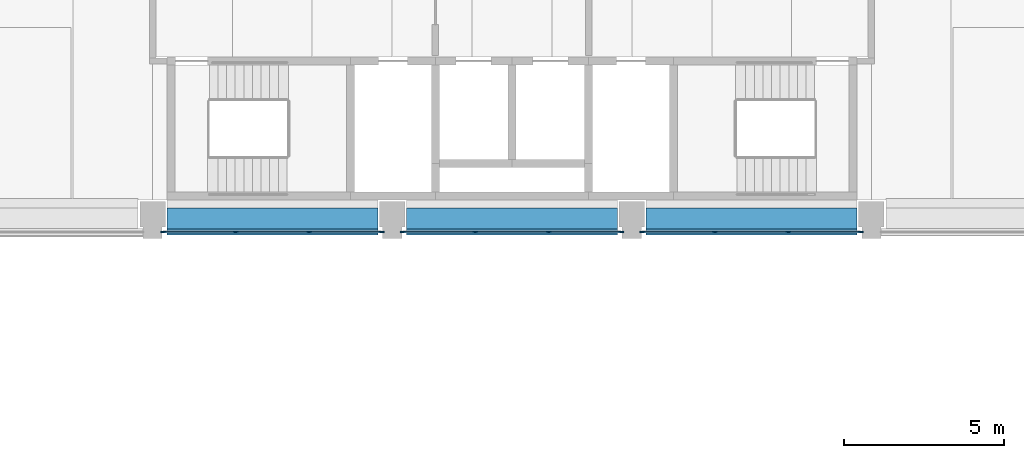
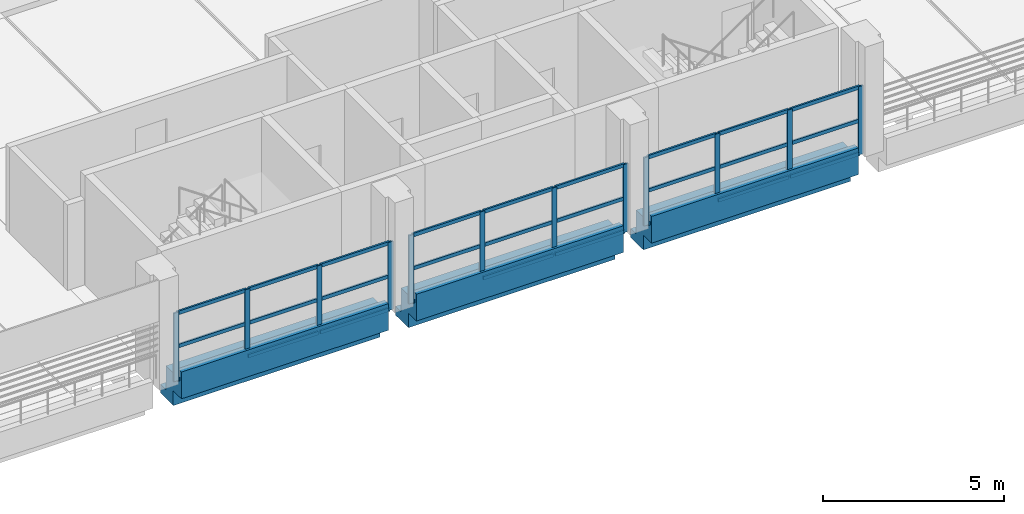
# One storey, part 7 of 61: 39 members, 3 beams, 3 elements without a shape of their own.
"""IFC4 building model written with IfcOpenShell, lengths in metres."""

from ifc_helpers import new_model, si_unit, direction, frame, origin, origin_2d, place, context, subcontext, project, spatial, polyline, rectangle, outline, extrude, material, layer, layer_set, material_profile, profile_set, type_object, element, aggregate, save


model = new_model("IFC4")

# Units and contexts
model_context = context("Model", 3, precision=1e-05, world=origin(), true_north=direction((0.0, 1.0)))
body_context = subcontext(model_context, "Body", "Model", "MODEL_VIEW")
ifc_project = project(units=[si_unit("LENGTHUNIT", "METRE"), si_unit("AREAUNIT", "SQUARE_METRE"), si_unit("VOLUMEUNIT", "CUBIC_METRE"), si_unit("PLANEANGLEUNIT", "RADIAN"), si_unit("MASSUNIT", "GRAM", prefix="KILO")], contexts=[model_context])

# Site, building, storey
site_placement = place(None, origin())
site = spatial("IfcSite", under=ifc_project, at=site_placement, CompositionType="ELEMENT")
building_placement = place(site_placement, origin())
building = spatial("IfcBuilding", under=site, at=building_placement, Name="Cour d'Honneur Mobility Palace", CompositionType="ELEMENT")
storey_placement = place(building_placement, frame((0.0, 0.0, 11.89990234375)))
storey = spatial("IfcBuildingStorey", under=building, at=storey_placement, Name="L03", CompositionType="ELEMENT", Elevation=11.89990234375)

# Curtain wall, members
ifc_material_1 = material(Name="Aluminium and glass", Category="aluminium")
ifc_layer = layer(ifc_material_1, 0.10009765625)
ifc_layer_set = layer_set([ifc_layer], Name="Aluminium and glass")
curtain_wall_type = type_object("IfcCurtainWallType", Name="Curtain wall run", PredefinedType="NOTDEFINED", material=ifc_layer_set)
curtain_wall_1_placement = place(storey_placement, origin())
curtain_wall_1 = element("IfcCurtainWall", 1, at=curtain_wall_1_placement, inside=storey, type_object=curtain_wall_type, Name="Curtain wall CW-78", PredefinedType="NOTDEFINED")
ifc_material_2 = material(Name="Aluminium", Category="aluminium")
ifc_material_profile_1 = material_profile(ifc_material_2, rectangle(XDim=0.06005859375, YDim=0.159912109375, at=origin_2d()), Name="Curtain wall mullion")
ifc_profile_set_1 = profile_set([ifc_material_profile_1], Name="Aluminium")
member_type_1 = type_object("IfcMemberType", Name="Curtain wall mullion", PredefinedType="MULLION", material=ifc_profile_set_1)
member_1_placement = place(storey_placement, frame((70.22998046875, 44.449951171875, 0.0), z_axis=(0.0, 0.0, 1.0), x_axis=(0.0, 1.0, 0.0)))
member_1 = element("IfcMember", 2, at=member_1_placement, type_object=member_type_1, Name="CW-78 mullion 1", PredefinedType="MULLION", context=body_context, shape_type="SweptSolid", body=[
    extrude(rectangle(XDim=0.06005859375, YDim=0.159912109375, at=origin_2d()), origin(), (0.0, 0.0, 1.0), 2.300048828125),
])
member_2_placement = place(storey_placement, frame((72.5, 44.449951171875, 0.0), z_axis=(0.0, 0.0, 1.0), x_axis=(0.0, 1.0, 0.0)))
member_2 = element("IfcMember", 3, at=member_2_placement, type_object=member_type_1, Name="CW-78 mullion 2", PredefinedType="MULLION", context=body_context, shape_type="SweptSolid", body=[
    extrude(rectangle(XDim=0.06005859375, YDim=0.159912109375, at=origin_2d()), origin(), (0.0, 0.0, 1.0), 2.300048828125),
])
member_3_placement = place(storey_placement, frame((74.800048828125, 44.449951171875, 0.0), z_axis=(0.0, 0.0, 1.0), x_axis=(0.0, 1.0, 0.0)))
member_3 = element("IfcMember", 4, at=member_3_placement, type_object=member_type_1, Name="CW-78 mullion 3", PredefinedType="MULLION", context=body_context, shape_type="SweptSolid", body=[
    extrude(rectangle(XDim=0.06005859375, YDim=0.159912109375, at=origin_2d()), origin(), (0.0, 0.0, 1.0), 2.300048828125),
])
member_4_placement = place(storey_placement, frame((77.070068359375, 44.449951171875, 0.0), z_axis=(0.0, 0.0, 1.0), x_axis=(0.0, 1.0, 0.0)))
member_4 = element("IfcMember", 5, at=member_4_placement, type_object=member_type_1, Name="CW-78 mullion 4", PredefinedType="MULLION", context=body_context, shape_type="SweptSolid", body=[
    extrude(rectangle(XDim=0.06005859375, YDim=0.159912109375, at=origin_2d()), origin(), (0.0, 0.0, 1.0), 2.300048828125),
])

curtain_wall_2_placement = place(storey_placement, origin())
curtain_wall_2 = element("IfcCurtainWall", 6, at=curtain_wall_2_placement, inside=storey, type_object=curtain_wall_type, Name="Curtain wall CW-79", PredefinedType="NOTDEFINED")
member_5_placement = place(storey_placement, frame((77.72998046875, 44.449951171875, 0.0), z_axis=(0.0, 0.0, 1.0), x_axis=(0.0, 1.0, 0.0)))
member_5 = element("IfcMember", 7, at=member_5_placement, type_object=member_type_1, Name="CW-79 mullion 1", PredefinedType="MULLION", context=body_context, shape_type="SweptSolid", body=[
    extrude(rectangle(XDim=0.06005859375, YDim=0.159912109375, at=origin_2d()), origin(), (0.0, 0.0, 1.0), 2.300048828125),
])
member_6_placement = place(storey_placement, frame((80.0, 44.449951171875, 0.0), z_axis=(0.0, 0.0, 1.0), x_axis=(0.0, 1.0, 0.0)))
member_6 = element("IfcMember", 8, at=member_6_placement, type_object=member_type_1, Name="CW-79 mullion 2", PredefinedType="MULLION", context=body_context, shape_type="SweptSolid", body=[
    extrude(rectangle(XDim=0.06005859375, YDim=0.159912109375, at=origin_2d()), origin(), (0.0, 0.0, 1.0), 2.300048828125),
])
member_7_placement = place(storey_placement, frame((82.300048828125, 44.449951171875, 0.0), z_axis=(0.0, 0.0, 1.0), x_axis=(0.0, 1.0, 0.0)))
member_7 = element("IfcMember", 9, at=member_7_placement, type_object=member_type_1, Name="CW-79 mullion 3", PredefinedType="MULLION", context=body_context, shape_type="SweptSolid", body=[
    extrude(rectangle(XDim=0.06005859375, YDim=0.159912109375, at=origin_2d()), origin(), (0.0, 0.0, 1.0), 2.300048828125),
])
member_8_placement = place(storey_placement, frame((84.570068359375, 44.449951171875, 0.0), z_axis=(0.0, 0.0, 1.0), x_axis=(0.0, 1.0, 0.0)))
member_8 = element("IfcMember", 10, at=member_8_placement, type_object=member_type_1, Name="CW-79 mullion 4", PredefinedType="MULLION", context=body_context, shape_type="SweptSolid", body=[
    extrude(rectangle(XDim=0.06005859375, YDim=0.159912109375, at=origin_2d()), origin(), (0.0, 0.0, 1.0), 2.300048828125),
])

curtain_wall_3_placement = place(storey_placement, origin())
curtain_wall_3 = element("IfcCurtainWall", 11, at=curtain_wall_3_placement, inside=storey, type_object=curtain_wall_type, Name="Curtain wall CW-80", PredefinedType="NOTDEFINED")
member_9_placement = place(storey_placement, frame((85.22998046875, 44.449951171875, 0.0), z_axis=(0.0, 0.0, 1.0), x_axis=(0.0, 1.0, 0.0)))
member_9 = element("IfcMember", 12, at=member_9_placement, type_object=member_type_1, Name="CW-80 mullion 1", PredefinedType="MULLION", context=body_context, shape_type="SweptSolid", body=[
    extrude(rectangle(XDim=0.06005859375, YDim=0.159912109375, at=origin_2d()), origin(), (0.0, 0.0, 1.0), 2.300048828125),
])
member_10_placement = place(storey_placement, frame((87.5, 44.449951171875, 0.0), z_axis=(0.0, 0.0, 1.0), x_axis=(0.0, 1.0, 0.0)))
member_10 = element("IfcMember", 13, at=member_10_placement, type_object=member_type_1, Name="CW-80 mullion 2", PredefinedType="MULLION", context=body_context, shape_type="SweptSolid", body=[
    extrude(rectangle(XDim=0.06005859375, YDim=0.159912109375, at=origin_2d()), origin(), (0.0, 0.0, 1.0), 2.300048828125),
])
member_11_placement = place(storey_placement, frame((89.800048828125, 44.449951171875, 0.0), z_axis=(0.0, 0.0, 1.0), x_axis=(0.0, 1.0, 0.0)))
member_11 = element("IfcMember", 14, at=member_11_placement, type_object=member_type_1, Name="CW-80 mullion 3", PredefinedType="MULLION", context=body_context, shape_type="SweptSolid", body=[
    extrude(rectangle(XDim=0.06005859375, YDim=0.159912109375, at=origin_2d()), origin(), (0.0, 0.0, 1.0), 2.300048828125),
])
member_12_placement = place(storey_placement, frame((92.070068359375, 44.449951171875, 0.0), z_axis=(0.0, 0.0, 1.0), x_axis=(0.0, 1.0, 0.0)))
member_12 = element("IfcMember", 15, at=member_12_placement, type_object=member_type_1, Name="CW-80 mullion 4", PredefinedType="MULLION", context=body_context, shape_type="SweptSolid", body=[
    extrude(rectangle(XDim=0.06005859375, YDim=0.159912109375, at=origin_2d()), origin(), (0.0, 0.0, 1.0), 2.300048828125),
])

# Member
ifc_material_3 = material(Name="Aluminium", Category="aluminium")
ifc_material_profile_2 = material_profile(ifc_material_3, rectangle(XDim=0.06005859375, YDim=0.1201171875, at=origin_2d()), Name="Curtain wall transom")
ifc_profile_set_2 = profile_set([ifc_material_profile_2], Name="Aluminium")
member_type_2 = type_object("IfcMemberType", Name="Curtain wall transom", PredefinedType="USERDEFINED", material=ifc_profile_set_2)
member_13_placement = place(storey_placement, frame((70.260009765625, 44.449951171875, 0.030029296875), z_axis=(1.0, 0.0, 0.0), x_axis=(0.0, 1.0, 0.0)))
member_13 = element("IfcMember", 16, at=member_13_placement, type_object=member_type_2, Name="CW-78 transom 1.1", ObjectType="TRANSOM", PredefinedType="USERDEFINED", context=body_context, shape_type="SweptSolid", body=[
    extrude(rectangle(XDim=0.06005859375, YDim=0.1201171875, at=origin_2d()), origin(), (0.0, 0.0, 1.0), 2.2099609375),
])

member_14_placement = place(storey_placement, frame((70.260009765625, 44.449951171875, 1.150146484375), z_axis=(1.0, 0.0, 0.0), x_axis=(0.0, 1.0, 0.0)))
member_14 = element("IfcMember", 17, at=member_14_placement, type_object=member_type_2, Name="CW-78 transom 1.2", ObjectType="TRANSOM", PredefinedType="USERDEFINED", context=body_context, shape_type="SweptSolid", body=[
    extrude(rectangle(XDim=0.06005859375, YDim=0.1201171875, at=origin_2d()), origin(), (0.0, 0.0, 1.0), 2.2099609375),
])

member_15_placement = place(storey_placement, frame((70.260009765625, 44.449951171875, 2.27001953125), z_axis=(1.0, 0.0, 0.0), x_axis=(0.0, 1.0, 0.0)))
member_15 = element("IfcMember", 18, at=member_15_placement, type_object=member_type_2, Name="CW-78 transom 1.3", ObjectType="TRANSOM", PredefinedType="USERDEFINED", context=body_context, shape_type="SweptSolid", body=[
    extrude(rectangle(XDim=0.06005859375, YDim=0.1201171875, at=origin_2d()), origin(), (0.0, 0.0, 1.0), 2.2099609375),
])

member_16_placement = place(storey_placement, frame((72.530029296875, 44.449951171875, 0.030029296875), z_axis=(1.0, 0.0, 0.0), x_axis=(0.0, 1.0, 0.0)))
member_16 = element("IfcMember", 19, at=member_16_placement, type_object=member_type_2, Name="CW-78 transom 2.1", ObjectType="TRANSOM", PredefinedType="USERDEFINED", context=body_context, shape_type="SweptSolid", body=[
    extrude(rectangle(XDim=0.06005859375, YDim=0.1201171875, at=origin_2d()), origin(), (0.0, 0.0, 1.0), 2.239990234375),
])

member_17_placement = place(storey_placement, frame((72.530029296875, 44.449951171875, 1.150146484375), z_axis=(1.0, 0.0, 0.0), x_axis=(0.0, 1.0, 0.0)))
member_17 = element("IfcMember", 20, at=member_17_placement, type_object=member_type_2, Name="CW-78 transom 2.2", ObjectType="TRANSOM", PredefinedType="USERDEFINED", context=body_context, shape_type="SweptSolid", body=[
    extrude(rectangle(XDim=0.06005859375, YDim=0.1201171875, at=origin_2d()), origin(), (0.0, 0.0, 1.0), 2.239990234375),
])

member_18_placement = place(storey_placement, frame((72.530029296875, 44.449951171875, 2.27001953125), z_axis=(1.0, 0.0, 0.0), x_axis=(0.0, 1.0, 0.0)))
member_18 = element("IfcMember", 21, at=member_18_placement, type_object=member_type_2, Name="CW-78 transom 2.3", ObjectType="TRANSOM", PredefinedType="USERDEFINED", context=body_context, shape_type="SweptSolid", body=[
    extrude(rectangle(XDim=0.06005859375, YDim=0.1201171875, at=origin_2d()), origin(), (0.0, 0.0, 1.0), 2.239990234375),
])

member_19_placement = place(storey_placement, frame((74.830078125, 44.449951171875, 0.030029296875), z_axis=(1.0, 0.0, 0.0), x_axis=(0.0, 1.0, 0.0)))
member_19 = element("IfcMember", 22, at=member_19_placement, type_object=member_type_2, Name="CW-78 transom 3.1", ObjectType="TRANSOM", PredefinedType="USERDEFINED", context=body_context, shape_type="SweptSolid", body=[
    extrude(rectangle(XDim=0.06005859375, YDim=0.1201171875, at=origin_2d()), origin(), (0.0, 0.0, 1.0), 2.2099609375),
])

member_20_placement = place(storey_placement, frame((74.830078125, 44.449951171875, 1.150146484375), z_axis=(1.0, 0.0, 0.0), x_axis=(0.0, 1.0, 0.0)))
member_20 = element("IfcMember", 23, at=member_20_placement, type_object=member_type_2, Name="CW-78 transom 3.2", ObjectType="TRANSOM", PredefinedType="USERDEFINED", context=body_context, shape_type="SweptSolid", body=[
    extrude(rectangle(XDim=0.06005859375, YDim=0.1201171875, at=origin_2d()), origin(), (0.0, 0.0, 1.0), 2.2099609375),
])

member_21_placement = place(storey_placement, frame((74.830078125, 44.449951171875, 2.27001953125), z_axis=(1.0, 0.0, 0.0), x_axis=(0.0, 1.0, 0.0)))
member_21 = element("IfcMember", 24, at=member_21_placement, type_object=member_type_2, Name="CW-78 transom 3.3", ObjectType="TRANSOM", PredefinedType="USERDEFINED", context=body_context, shape_type="SweptSolid", body=[
    extrude(rectangle(XDim=0.06005859375, YDim=0.1201171875, at=origin_2d()), origin(), (0.0, 0.0, 1.0), 2.2099609375),
])

aggregate(curtain_wall_1, [member_1, member_2, member_3, member_4, member_13, member_14, member_15, member_16, member_17, member_18, member_19, member_20, member_21])

member_22_placement = place(storey_placement, frame((77.760009765625, 44.449951171875, 0.030029296875), z_axis=(1.0, 0.0, 0.0), x_axis=(0.0, 1.0, 0.0)))
member_22 = element("IfcMember", 25, at=member_22_placement, type_object=member_type_2, Name="CW-79 transom 1.1", ObjectType="TRANSOM", PredefinedType="USERDEFINED", context=body_context, shape_type="SweptSolid", body=[
    extrude(rectangle(XDim=0.06005859375, YDim=0.1201171875, at=origin_2d()), origin(), (0.0, 0.0, 1.0), 2.2099609375),
])

member_23_placement = place(storey_placement, frame((77.760009765625, 44.449951171875, 1.150146484375), z_axis=(1.0, 0.0, 0.0), x_axis=(0.0, 1.0, 0.0)))
member_23 = element("IfcMember", 26, at=member_23_placement, type_object=member_type_2, Name="CW-79 transom 1.2", ObjectType="TRANSOM", PredefinedType="USERDEFINED", context=body_context, shape_type="SweptSolid", body=[
    extrude(rectangle(XDim=0.06005859375, YDim=0.1201171875, at=origin_2d()), origin(), (0.0, 0.0, 1.0), 2.2099609375),
])

member_24_placement = place(storey_placement, frame((77.760009765625, 44.449951171875, 2.27001953125), z_axis=(1.0, 0.0, 0.0), x_axis=(0.0, 1.0, 0.0)))
member_24 = element("IfcMember", 27, at=member_24_placement, type_object=member_type_2, Name="CW-79 transom 1.3", ObjectType="TRANSOM", PredefinedType="USERDEFINED", context=body_context, shape_type="SweptSolid", body=[
    extrude(rectangle(XDim=0.06005859375, YDim=0.1201171875, at=origin_2d()), origin(), (0.0, 0.0, 1.0), 2.2099609375),
])

member_25_placement = place(storey_placement, frame((80.030029296875, 44.449951171875, 0.030029296875), z_axis=(1.0, 0.0, 0.0), x_axis=(0.0, 1.0, 0.0)))
member_25 = element("IfcMember", 28, at=member_25_placement, type_object=member_type_2, Name="CW-79 transom 2.1", ObjectType="TRANSOM", PredefinedType="USERDEFINED", context=body_context, shape_type="SweptSolid", body=[
    extrude(rectangle(XDim=0.06005859375, YDim=0.1201171875, at=origin_2d()), origin(), (0.0, 0.0, 1.0), 2.239990234375),
])

member_26_placement = place(storey_placement, frame((80.030029296875, 44.449951171875, 1.150146484375), z_axis=(1.0, 0.0, 0.0), x_axis=(0.0, 1.0, 0.0)))
member_26 = element("IfcMember", 29, at=member_26_placement, type_object=member_type_2, Name="CW-79 transom 2.2", ObjectType="TRANSOM", PredefinedType="USERDEFINED", context=body_context, shape_type="SweptSolid", body=[
    extrude(rectangle(XDim=0.06005859375, YDim=0.1201171875, at=origin_2d()), origin(), (0.0, 0.0, 1.0), 2.239990234375),
])

member_27_placement = place(storey_placement, frame((80.030029296875, 44.449951171875, 2.27001953125), z_axis=(1.0, 0.0, 0.0), x_axis=(0.0, 1.0, 0.0)))
member_27 = element("IfcMember", 30, at=member_27_placement, type_object=member_type_2, Name="CW-79 transom 2.3", ObjectType="TRANSOM", PredefinedType="USERDEFINED", context=body_context, shape_type="SweptSolid", body=[
    extrude(rectangle(XDim=0.06005859375, YDim=0.1201171875, at=origin_2d()), origin(), (0.0, 0.0, 1.0), 2.239990234375),
])

member_28_placement = place(storey_placement, frame((82.330078125, 44.449951171875, 0.030029296875), z_axis=(1.0, 0.0, 0.0), x_axis=(0.0, 1.0, 0.0)))
member_28 = element("IfcMember", 31, at=member_28_placement, type_object=member_type_2, Name="CW-79 transom 3.1", ObjectType="TRANSOM", PredefinedType="USERDEFINED", context=body_context, shape_type="SweptSolid", body=[
    extrude(rectangle(XDim=0.06005859375, YDim=0.1201171875, at=origin_2d()), origin(), (0.0, 0.0, 1.0), 2.2099609375),
])

member_29_placement = place(storey_placement, frame((82.330078125, 44.449951171875, 1.150146484375), z_axis=(1.0, 0.0, 0.0), x_axis=(0.0, 1.0, 0.0)))
member_29 = element("IfcMember", 32, at=member_29_placement, type_object=member_type_2, Name="CW-79 transom 3.2", ObjectType="TRANSOM", PredefinedType="USERDEFINED", context=body_context, shape_type="SweptSolid", body=[
    extrude(rectangle(XDim=0.06005859375, YDim=0.1201171875, at=origin_2d()), origin(), (0.0, 0.0, 1.0), 2.2099609375),
])

member_30_placement = place(storey_placement, frame((82.330078125, 44.449951171875, 2.27001953125), z_axis=(1.0, 0.0, 0.0), x_axis=(0.0, 1.0, 0.0)))
member_30 = element("IfcMember", 33, at=member_30_placement, type_object=member_type_2, Name="CW-79 transom 3.3", ObjectType="TRANSOM", PredefinedType="USERDEFINED", context=body_context, shape_type="SweptSolid", body=[
    extrude(rectangle(XDim=0.06005859375, YDim=0.1201171875, at=origin_2d()), origin(), (0.0, 0.0, 1.0), 2.2099609375),
])

aggregate(curtain_wall_2, [member_5, member_6, member_7, member_8, member_22, member_23, member_24, member_25, member_26, member_27, member_28, member_29, member_30])

member_31_placement = place(storey_placement, frame((85.260009765625, 44.449951171875, 0.030029296875), z_axis=(1.0, 0.0, 0.0), x_axis=(0.0, 1.0, 0.0)))
member_31 = element("IfcMember", 34, at=member_31_placement, type_object=member_type_2, Name="CW-80 transom 1.1", ObjectType="TRANSOM", PredefinedType="USERDEFINED", context=body_context, shape_type="SweptSolid", body=[
    extrude(rectangle(XDim=0.06005859375, YDim=0.1201171875, at=origin_2d()), origin(), (0.0, 0.0, 1.0), 2.2099609375),
])

member_32_placement = place(storey_placement, frame((85.260009765625, 44.449951171875, 1.150146484375), z_axis=(1.0, 0.0, 0.0), x_axis=(0.0, 1.0, 0.0)))
member_32 = element("IfcMember", 35, at=member_32_placement, type_object=member_type_2, Name="CW-80 transom 1.2", ObjectType="TRANSOM", PredefinedType="USERDEFINED", context=body_context, shape_type="SweptSolid", body=[
    extrude(rectangle(XDim=0.06005859375, YDim=0.1201171875, at=origin_2d()), origin(), (0.0, 0.0, 1.0), 2.2099609375),
])

member_33_placement = place(storey_placement, frame((85.260009765625, 44.449951171875, 2.27001953125), z_axis=(1.0, 0.0, 0.0), x_axis=(0.0, 1.0, 0.0)))
member_33 = element("IfcMember", 36, at=member_33_placement, type_object=member_type_2, Name="CW-80 transom 1.3", ObjectType="TRANSOM", PredefinedType="USERDEFINED", context=body_context, shape_type="SweptSolid", body=[
    extrude(rectangle(XDim=0.06005859375, YDim=0.1201171875, at=origin_2d()), origin(), (0.0, 0.0, 1.0), 2.2099609375),
])

member_34_placement = place(storey_placement, frame((87.530029296875, 44.449951171875, 0.030029296875), z_axis=(1.0, 0.0, 0.0), x_axis=(0.0, 1.0, 0.0)))
member_34 = element("IfcMember", 37, at=member_34_placement, type_object=member_type_2, Name="CW-80 transom 2.1", ObjectType="TRANSOM", PredefinedType="USERDEFINED", context=body_context, shape_type="SweptSolid", body=[
    extrude(rectangle(XDim=0.06005859375, YDim=0.1201171875, at=origin_2d()), origin(), (0.0, 0.0, 1.0), 2.239990234375),
])

member_35_placement = place(storey_placement, frame((87.530029296875, 44.449951171875, 1.150146484375), z_axis=(1.0, 0.0, 0.0), x_axis=(0.0, 1.0, 0.0)))
member_35 = element("IfcMember", 38, at=member_35_placement, type_object=member_type_2, Name="CW-80 transom 2.2", ObjectType="TRANSOM", PredefinedType="USERDEFINED", context=body_context, shape_type="SweptSolid", body=[
    extrude(rectangle(XDim=0.06005859375, YDim=0.1201171875, at=origin_2d()), origin(), (0.0, 0.0, 1.0), 2.239990234375),
])

member_36_placement = place(storey_placement, frame((87.530029296875, 44.449951171875, 2.27001953125), z_axis=(1.0, 0.0, 0.0), x_axis=(0.0, 1.0, 0.0)))
member_36 = element("IfcMember", 39, at=member_36_placement, type_object=member_type_2, Name="CW-80 transom 2.3", ObjectType="TRANSOM", PredefinedType="USERDEFINED", context=body_context, shape_type="SweptSolid", body=[
    extrude(rectangle(XDim=0.06005859375, YDim=0.1201171875, at=origin_2d()), origin(), (0.0, 0.0, 1.0), 2.239990234375),
])

member_37_placement = place(storey_placement, frame((89.830078125, 44.449951171875, 0.030029296875), z_axis=(1.0, 0.0, 0.0), x_axis=(0.0, 1.0, 0.0)))
member_37 = element("IfcMember", 40, at=member_37_placement, type_object=member_type_2, Name="CW-80 transom 3.1", ObjectType="TRANSOM", PredefinedType="USERDEFINED", context=body_context, shape_type="SweptSolid", body=[
    extrude(rectangle(XDim=0.06005859375, YDim=0.1201171875, at=origin_2d()), origin(), (0.0, 0.0, 1.0), 2.2099609375),
])

member_38_placement = place(storey_placement, frame((89.830078125, 44.449951171875, 1.150146484375), z_axis=(1.0, 0.0, 0.0), x_axis=(0.0, 1.0, 0.0)))
member_38 = element("IfcMember", 41, at=member_38_placement, type_object=member_type_2, Name="CW-80 transom 3.2", ObjectType="TRANSOM", PredefinedType="USERDEFINED", context=body_context, shape_type="SweptSolid", body=[
    extrude(rectangle(XDim=0.06005859375, YDim=0.1201171875, at=origin_2d()), origin(), (0.0, 0.0, 1.0), 2.2099609375),
])

member_39_placement = place(storey_placement, frame((89.830078125, 44.449951171875, 2.27001953125), z_axis=(1.0, 0.0, 0.0), x_axis=(0.0, 1.0, 0.0)))
member_39 = element("IfcMember", 42, at=member_39_placement, type_object=member_type_2, Name="CW-80 transom 3.3", ObjectType="TRANSOM", PredefinedType="USERDEFINED", context=body_context, shape_type="SweptSolid", body=[
    extrude(rectangle(XDim=0.06005859375, YDim=0.1201171875, at=origin_2d()), origin(), (0.0, 0.0, 1.0), 2.2099609375),
])

aggregate(curtain_wall_3, [member_9, member_10, member_11, member_12, member_31, member_32, member_33, member_34, member_35, member_36, member_37, member_38, member_39])

# Beams
ifc_material_4 = material(Name="Concrete C45", Category="concrete")
ifc_material_profile_3 = material_profile(ifc_material_4, outline(polyline([(0.5, -1.10009765625), (0.5, -0.800048828125), (0.199951171875, -0.800048828125), (0.199951171875, 0.0), (-0.199951171875, 0.0), (-0.449951171875, 0.0), (-0.449951171875, 0.300048828125), (-0.64990234375, 0.300048828125), (-0.64990234375, -0.60009765625), (-0.199951171875, -0.60009765625), (-0.199951171875, -1.10009765625), (0.5, -1.10009765625)])), Name="Ledger Beam 400x1100 ledge left 300 facade right")
ifc_profile_set_3 = profile_set([ifc_material_profile_3], Name="Concrete C45")
beam_type = type_object("IfcBeamType", Name="Ledger Beam 400x1100 ledge left 300 facade right", PredefinedType="BEAM", material=ifc_profile_set_3)
for number, where, z_axis, x_axis, name in (
    (43, (70.35009765625, 45.0, 0.0), (1.0, 0.0, 0.0), (0.0, 1.0, 0.0), "Precast beam B3 9-10 L03"),
    (44, (77.85009765625, 45.0, 0.0), (1.0, 0.0, 0.0), (0.0, 1.0, 0.0), "Precast beam B3 10-11 L03"),
    (45, (85.35009765625, 45.0, 0.0), (1.0, 0.0, 0.0), (0.0, 1.0, 0.0), "Precast beam B3 11-12 L03"),
):
    element("IfcBeam", number, at=place(storey_placement, frame(where, z_axis=z_axis, x_axis=x_axis)), inside=storey, type_object=beam_type, Name=name, PredefinedType="BEAM", context=body_context, shape_type="SweptSolid", body=[
        extrude(outline(polyline([(0.5, -1.10009765625), (0.5, -0.800048828125), (0.199951171875, -0.800048828125), (0.199951171875, 0.0), (-0.199951171875, 0.0), (-0.449951171875, 0.0), (-0.449951171875, 0.300048828125), (-0.64990234375, 0.300048828125), (-0.64990234375, -0.60009765625), (-0.199951171875, -0.60009765625), (-0.199951171875, -1.10009765625), (0.5, -1.10009765625)])), origin(), (0.0, 0.0, 1.0), 6.599853515625),
    ])

save(model, "model.ifc")
